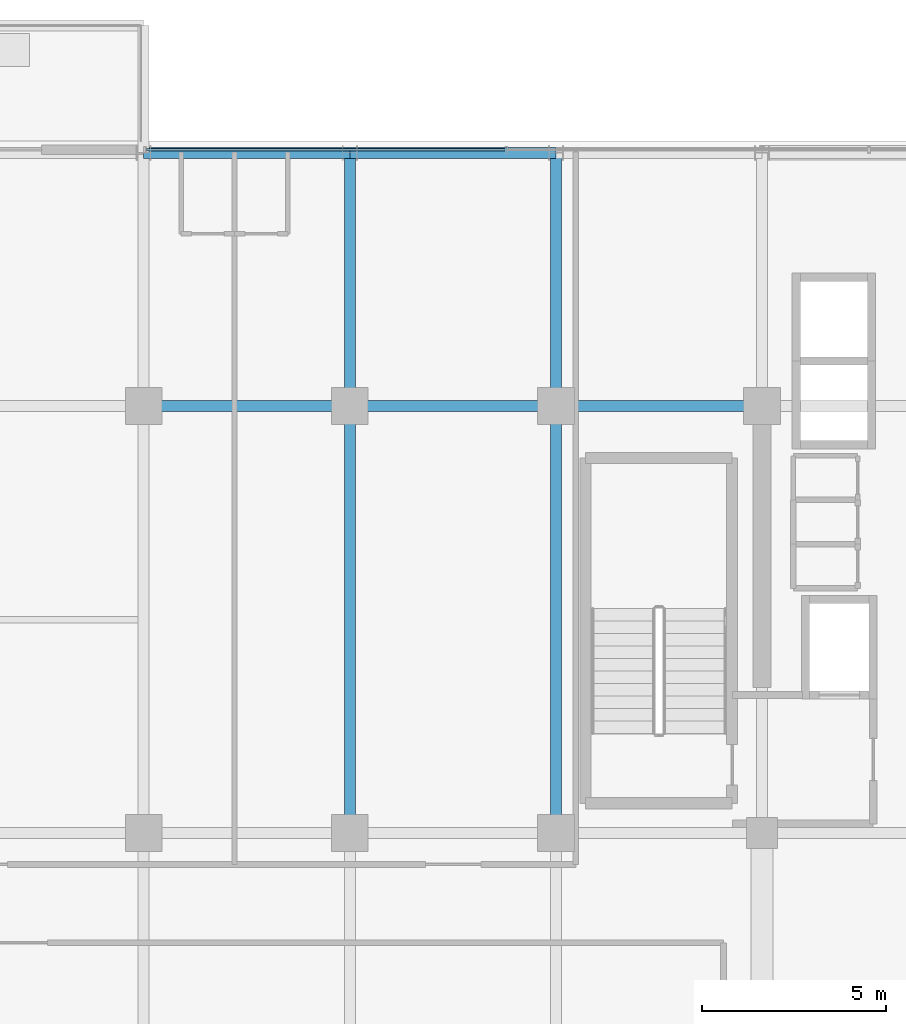
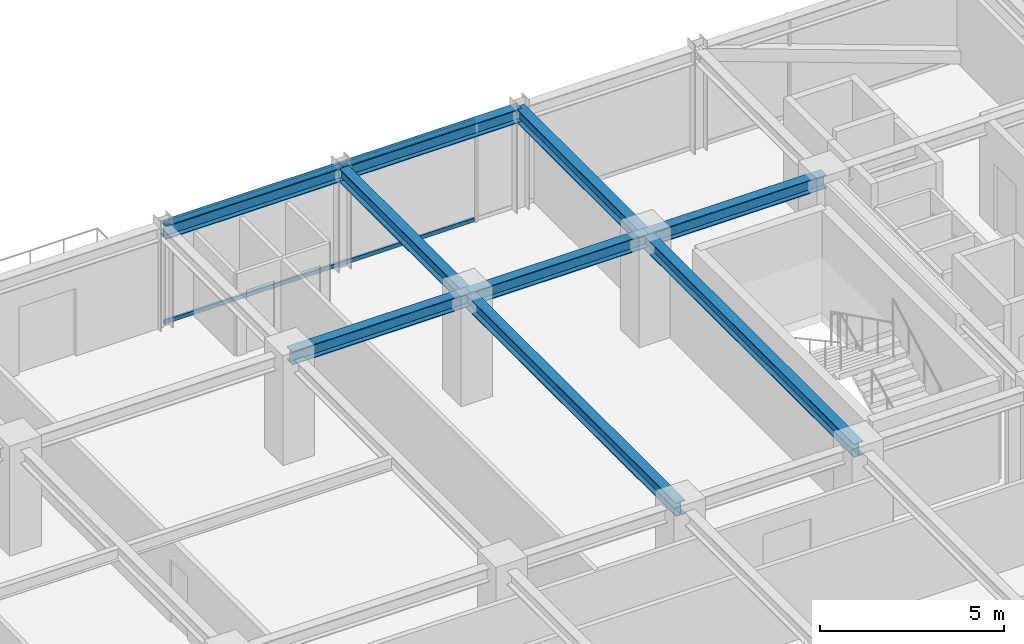
# One storey, part 22 of 36: 9 beams, 2 members, 1 element without a shape of its own.
"""IFC4 building model written with IfcOpenShell, lengths in metres."""

import ifcopenshell
import ifcopenshell.guid

model = None  # the IFC model being written
_history = None  # IfcOwnerHistory: only IFC2X3 demands one
_inside = {}  # id of a spatial element -> (the spatial element, [elements in it])
_under = {}  # id of a project, library or spatial element -> (it, [spatial elements below it])
_declared = {}  # id of a project -> (the project, [libraries it declares])
_typed = {}  # id of a type object -> (the type object, [elements of that type])
_made_of = {}  # id of a material, layer set ... -> (it, [elements and type objects made of it])


def new_model(schema):
    """Start an empty IFC model of exactly this schema.

    Asked for "IFC4X3", IfcOpenShell would pick the latest addendum, in which some entities
    have other attributes; the version numbers below select the first issue.
    IFC2X3 requires an IfcOwnerHistory on every rooted entity: one is made here for all.
    """
    global model, _history
    if schema == "IFC4X3":
        model = ifcopenshell.file(schema_version=(4, 3, 0, 0))
    else:
        model = ifcopenshell.file(schema=schema)
    _inside.clear()
    _under.clear()
    _declared.clear()
    _typed.clear()
    _made_of.clear()
    _history = None
    if model.schema == "IFC2X3":
        org = make("IfcOrganization", Name="unknown")
        user = make(
            "IfcPersonAndOrganization",
            ThePerson=make("IfcPerson", FamilyName="unknown"),
            TheOrganization=org,
        )
        app = make(
            "IfcApplication",
            ApplicationDeveloper=org,
            Version="unknown",
            ApplicationFullName="unknown",
            ApplicationIdentifier="unknown",
        )
        _history = make(
            "IfcOwnerHistory",
            OwningUser=user,
            OwningApplication=app,
            ChangeAction="ADDED",
            CreationDate=0,
        )
    return model


def make(cls, **values):
    """One entity of the class cls with the attributes given. An attribute that is None is left unset."""
    return model.create_entity(
        cls, **{name: value for name, value in values.items() if value is not None}
    )


def rooted(cls, **values):
    """An entity with a GlobalId (a new one), such as an element, a storey or a relation."""
    return make(cls, GlobalId=ifcopenshell.guid.new(), OwnerHistory=_history, **values)


def si_unit(unit_type, name, prefix=None):
    """IfcSIUnit, for example si_unit("LENGTHUNIT", "METRE", prefix="MILLI")."""
    return make("IfcSIUnit", UnitType=unit_type, Prefix=prefix, Name=name)


def assignment(units):
    """IfcUnitAssignment: the units of a project."""
    return None if units is None else make("IfcUnitAssignment", Units=units)


def point(xyz):
    """IfcCartesianPoint."""
    return None if xyz is None else make("IfcCartesianPoint", Coordinates=xyz)


def direction(xyz):
    """IfcDirection."""
    return None if xyz is None else make("IfcDirection", DirectionRatios=xyz)


def frame(location, z_axis=None, x_axis=None):
    """IfcAxis2Placement3D, a coordinate frame: its origin and axes. An axis left out is left unset."""
    return make(
        "IfcAxis2Placement3D",
        Location=point(location),
        Axis=direction(z_axis),
        RefDirection=direction(x_axis),
    )


def frame_2d(location, x_axis=None):
    """IfcAxis2Placement2D, a coordinate frame in the plane: its origin and x axis."""
    return make(
        "IfcAxis2Placement2D", Location=point(location), RefDirection=direction(x_axis)
    )


def origin():
    """The frame at (0, 0, 0) with its axes left unset."""
    return frame((0.0, 0.0, 0.0))


def origin_2d():
    """The frame at (0, 0) in the plane with its x axis left unset."""
    return frame_2d((0.0, 0.0))


def place(relative_to, where):
    """IfcLocalPlacement: puts the frame where relative to a parent placement (None: the world)."""
    return make(
        "IfcLocalPlacement", PlacementRelTo=relative_to, RelativePlacement=where
    )


def context(
    kind, dimensions, precision=None, world=None, true_north=None, identifier=None
):
    """IfcGeometricRepresentationContext, for example the 3D "Model" context."""
    return make(
        "IfcGeometricRepresentationContext",
        ContextIdentifier=identifier,
        ContextType=kind,
        CoordinateSpaceDimension=dimensions,
        Precision=precision,
        WorldCoordinateSystem=world,
        TrueNorth=true_north,
    )


def subcontext(parent, identifier, kind, view, scale=None):
    """IfcGeometricRepresentationSubContext, for example "Body" below "Model"."""
    return make(
        "IfcGeometricRepresentationSubContext",
        ContextIdentifier=identifier,
        ContextType=kind,
        ParentContext=parent,
        TargetScale=scale,
        TargetView=view,
    )


def project(units=None, contexts=None):
    """IfcProject with its units and contexts."""
    return rooted(
        "IfcProject",
        Name="project",
        RepresentationContexts=contexts,
        UnitsInContext=assignment(units),
    )


def spatial(cls, under=None, at=None, **own):
    """A site, building, storey or space (cls), placed at a placement, below another one or the project."""
    s = rooted(cls, ObjectPlacement=at, **own)
    if under is not None:
        _under.setdefault(under.id(), (under, []))[1].append(s)
    return s


def profile(cls, at=None, kind="AREA", **sizes):
    """A parametric profile (cls). Its sizes go by their IFC names, for example OverallWidth=200.0."""
    return make(cls, ProfileType=kind, Position=at, **sizes)


def hollow_rectangle(**sizes):
    """IfcRectangleHollowProfileDef."""
    return profile("IfcRectangleHollowProfileDef", **sizes)


def i_section(**sizes):
    """IfcIShapeProfileDef."""
    return profile("IfcIShapeProfileDef", **sizes)


def extrude(swept, where, along, depth):
    """IfcExtrudedAreaSolid: the profile swept, set in the frame where, extruded along a direction by depth."""
    return make(
        "IfcExtrudedAreaSolid",
        SweptArea=swept,
        Position=where,
        ExtrudedDirection=direction(along),
        Depth=depth,
    )


def shape(context_of_items, identifier, shape_type, items):
    """IfcShapeRepresentation: the items that make up one representation, for example the "Body"."""
    return make(
        "IfcShapeRepresentation",
        ContextOfItems=context_of_items,
        RepresentationIdentifier=identifier,
        RepresentationType=shape_type,
        Items=items,
    )


def source(mapping_origin, context_of_items, identifier, shape_type, items):
    """IfcRepresentationMap: a shape defined once, which mapped items show again and again."""
    return make(
        "IfcRepresentationMap",
        MappingOrigin=mapping_origin,
        MappedRepresentation=shape(context_of_items, identifier, shape_type, items),
    )


def transform(
    local_origin,
    x_axis=None,
    y_axis=None,
    z_axis=None,
    scale=None,
    scale2=None,
    scale3=None,
    uniform=True,
):
    """IfcCartesianTransformationOperator3D, or its non-uniform kind. x_axis, y_axis, z_axis: its Axis1, 2, 3."""
    if uniform:
        return make(
            "IfcCartesianTransformationOperator3D",
            Axis1=direction(x_axis),
            Axis2=direction(y_axis),
            LocalOrigin=point(local_origin),
            Scale=scale,
            Axis3=direction(z_axis),
        )
    return make(
        "IfcCartesianTransformationOperator3DnonUniform",
        Axis1=direction(x_axis),
        Axis2=direction(y_axis),
        LocalOrigin=point(local_origin),
        Scale=scale,
        Axis3=direction(z_axis),
        Scale2=scale2,
        Scale3=scale3,
    )


def mapped(mapping_source, mapping_target):
    """IfcMappedItem: shows the shape of a source again, moved by a transform."""
    return make(
        "IfcMappedItem", MappingSource=mapping_source, MappingTarget=mapping_target
    )


def material(Name=None, Category=None):
    """IfcMaterial."""
    return make("IfcMaterial", Name=Name, Category=Category)


def material_profile(
    of_material, cross_section, Name=None, Category=None, Priority=None
):
    """IfcMaterialProfile: a cross section and its material."""
    return make(
        "IfcMaterialProfile",
        Name=Name,
        Material=of_material,
        Profile=cross_section,
        Priority=Priority,
        Category=Category,
    )


def profile_set(profiles, Name=None, composite=None):
    """IfcMaterialProfileSet."""
    return make(
        "IfcMaterialProfileSet",
        Name=Name,
        MaterialProfiles=profiles,
        CompositeProfile=composite,
    )


def made_of(thing, what):
    """Note that an element or type object is made of a material, layer set ...; save() writes the relation."""
    if what is not None:
        _made_of.setdefault(what.id(), (what, []))[1].append(thing)
    return thing


def type_object(cls, material=None, **own):
    """A type object (cls), such as IfcWallType, which elements share."""
    return made_of(rooted(cls, **own), material)


def element(
    cls,
    number,
    at=None,
    inside=None,
    cuts=None,
    type_object=None,
    material=None,
    context=None,
    identifier="Body",
    shape_type=None,
    held_by="IfcProductDefinitionShape",
    body=None,
    shapes=None,
    **own,
):
    """One element of the class cls, such as IfcWall. Its Tag is "e" and its number.

    at: its placement. inside: the storey or other place that contains it. cuts: it is an
    opening in that element (IfcRelVoidsElement). A single representation is given by context,
    identifier, shape_type and body (its items); several are given by shapes. held_by: the class
    of the entity that holds the representations. save() writes the other relations.
    """
    e = rooted(cls, Tag="e%d" % number, ObjectPlacement=at, **own)
    if body is not None:
        shapes = [shape(context, identifier, shape_type, body)]
    if shapes is not None:
        e.Representation = make(held_by, Representations=shapes)
    if inside is not None:
        _inside.setdefault(inside.id(), (inside, []))[1].append(e)
    if cuts is not None:
        rooted(
            "IfcRelVoidsElement", RelatingBuildingElement=cuts, RelatedOpeningElement=e
        )
    if type_object is not None:
        _typed.setdefault(type_object.id(), (type_object, []))[1].append(e)
    return made_of(e, material)


def aggregate(whole, parts):
    """IfcRelAggregates: a whole, such as a stair, and the parts it consists of."""
    return rooted("IfcRelAggregates", RelatingObject=whole, RelatedObjects=parts)


def save(model, path):
    """Write the relations noted so far, then the file.

    IfcRelAggregates (storeys below a building ...), IfcRelContainedInSpatialStructure (elements
    in a storey), IfcRelDefinesByType, IfcRelAssociatesMaterial and IfcRelDeclares: one each for
    every whole, place, type object, material and project.
    """
    for whole, parts in _under.values():
        aggregate(whole, parts)
    for where, things in _inside.values():
        rooted(
            "IfcRelContainedInSpatialStructure",
            RelatedElements=things,
            RelatingStructure=where,
        )
    for kind, things in _typed.values():
        rooted("IfcRelDefinesByType", RelatedObjects=things, RelatingType=kind)
    for what, things in _made_of.values():
        rooted("IfcRelAssociatesMaterial", RelatedObjects=things, RelatingMaterial=what)
    for by, libraries in _declared.values():
        rooted("IfcRelDeclares", RelatingContext=by, RelatedDefinitions=libraries)
    model.write(path)


model = new_model("IFC4")

# Units and contexts
model_context = context("Model", 3, precision=1e-05, world=origin(), true_north=direction((0.0, 1.0)))
body_context = subcontext(model_context, "Body", "Model", "MODEL_VIEW")
ifc_project = project(units=[si_unit("LENGTHUNIT", "METRE"), si_unit("AREAUNIT", "SQUARE_METRE"), si_unit("VOLUMEUNIT", "CUBIC_METRE"), si_unit("PLANEANGLEUNIT", "RADIAN"), si_unit("MASSUNIT", "GRAM", prefix="KILO")], contexts=[model_context])

# Site, building, storey
site_placement = place(None, origin())
site = spatial("IfcSite", under=ifc_project, at=site_placement, CompositionType="ELEMENT")
building_placement = place(site_placement, origin())
building = spatial("IfcBuilding", under=site, at=building_placement, Name="Nahalor Promenade Grand Hotel", CompositionType="ELEMENT")
storey_placement = place(building_placement, frame((0.0, 0.0, 234.5)))
storey = spatial("IfcBuildingStorey", under=building, at=storey_placement, Name="L60", CompositionType="ELEMENT", Elevation=234.5)

# Beams
ifc_material_1 = material(Name="Steel S355JR", Category="steel")
ifc_material_profile_1 = material_profile(ifc_material_1, i_section(OverallWidth=0.3, OverallDepth=0.45, WebThickness=0.014, FlangeThickness=0.026, at=origin_2d()), Name="HEB 450")
ifc_profile_set_1 = profile_set([ifc_material_profile_1], Name="Steel S355JR")
beam_type_1 = type_object("IfcBeamType", Name="Beam-Spandrel-HEB450", PredefinedType="SPANDREL", material=ifc_profile_set_1)
shared_shape_1 = source(origin(), body_context, "Body", "SweptSolid", [
    extrude(i_section(OverallWidth=0.3, OverallDepth=0.45, WebThickness=0.014, FlangeThickness=0.026, at=origin_2d()), origin(), (0.0, 0.0, 1.0), 5.599853515625),
])
beam_1_placement = place(storey_placement, frame((-8.39990234375, 23.8798828125, 3.18505859375), z_axis=(1.0, 0.0, 0.0), x_axis=(0.0, 1.0, 0.0)))
element("IfcBeam", 1, at=beam_1_placement, inside=storey, type_object=beam_type_1, Name="BM-L60-SP-N-1", PredefinedType="SPANDREL", context=body_context, shape_type="MappedRepresentation", body=[
    mapped(shared_shape_1, transform((0.0, 0.0, 0.0), scale=1.0)),
])
shared_shape_2 = source(origin(), body_context, "Body", "SweptSolid", [
    extrude(i_section(OverallWidth=0.3, OverallDepth=0.45, WebThickness=0.014, FlangeThickness=0.026, at=origin_2d()), origin(), (0.0, 0.0, 1.0), 5.60009765625),
])
beam_2_placement = place(storey_placement, frame((-2.800048828125, 23.8798828125, 3.18505859375), z_axis=(1.0, 0.0, 0.0), x_axis=(0.0, 1.0, 0.0)))
element("IfcBeam", 2, at=beam_2_placement, inside=storey, type_object=beam_type_1, Name="BM-L60-SP-N-2", PredefinedType="SPANDREL", context=body_context, shape_type="MappedRepresentation", body=[
    mapped(shared_shape_2, transform((0.0, 0.0, 0.0), scale=1.0)),
])
ifc_material_profile_2 = material_profile(ifc_material_1, i_section(OverallWidth=0.3, OverallDepth=0.45, WebThickness=0.014, FlangeThickness=0.026, at=origin_2d()), Name="HEB 450")
ifc_profile_set_2 = profile_set([ifc_material_profile_2], Name="Steel S355JR")
beam_type_2 = type_object("IfcBeamType", Name="Beam-Girder-HEB450", PredefinedType="BEAM", material=ifc_profile_set_2)
shared_shape_3 = source(origin(), body_context, "Body", "SweptSolid", [
    extrude(i_section(OverallWidth=0.3, OverallDepth=0.45, WebThickness=0.014, FlangeThickness=0.026, at=origin_2d()), origin(), (0.0, 0.0, 1.0), 6.8798828125),
])
for number, where, z_axis, x_axis, name in (
    (3, (-2.800048828125, 17.0, 3.18505859375), (0.0, 1.0, 0.0), (-1.0, 0.0, 0.0), "BM-L60-GY-2-4"),
    (4, (2.800048828125, 17.0, 3.18505859375), (0.0, 1.0, 0.0), (-1.0, 0.0, 0.0), "BM-L60-GY-3-4"),
):
    element("IfcBeam", number, at=place(storey_placement, frame(where, z_axis=z_axis, x_axis=x_axis)), inside=storey, type_object=beam_type_2, Name=name, PredefinedType="BEAM", context=body_context, shape_type="MappedRepresentation", body=[
        mapped(shared_shape_3, transform((0.0, 0.0, 0.0), scale=1.0)),
    ])
shared_shape_4 = source(origin(), body_context, "Body", "SweptSolid", [
    extrude(i_section(OverallWidth=0.3, OverallDepth=0.45, WebThickness=0.014, FlangeThickness=0.026, at=origin_2d()), origin(), (0.0, 0.0, 1.0), 5.599853515625),
])
for number, where, z_axis, x_axis, name in (
    (5, (-8.39990234375, 17.0, 3.18505859375), (1.0, 0.0, 0.0), (0.0, 1.0, 0.0), "BM-L60-GX-3-2"),
    (6, (2.800048828125, 17.0, 3.18505859375), (1.0, 0.0, 0.0), (0.0, 1.0, 0.0), "BM-L60-GX-3-4"),
):
    element("IfcBeam", number, at=place(storey_placement, frame(where, z_axis=z_axis, x_axis=x_axis)), inside=storey, type_object=beam_type_2, Name=name, PredefinedType="BEAM", context=body_context, shape_type="MappedRepresentation", body=[
        mapped(shared_shape_4, transform((0.0, 0.0, 0.0), scale=1.0)),
    ])
shared_shape_5 = source(origin(), body_context, "Body", "SweptSolid", [
    extrude(i_section(OverallWidth=0.3, OverallDepth=0.45, WebThickness=0.014, FlangeThickness=0.026, at=origin_2d()), origin(), (0.0, 0.0, 1.0), 5.60009765625),
])
beam_3_placement = place(storey_placement, frame((-2.800048828125, 17.0, 3.18505859375), z_axis=(1.0, 0.0, 0.0), x_axis=(0.0, 1.0, 0.0)))
element("IfcBeam", 7, at=beam_3_placement, inside=storey, type_object=beam_type_2, Name="BM-L60-GX-3-3", PredefinedType="BEAM", context=body_context, shape_type="MappedRepresentation", body=[
    mapped(shared_shape_5, transform((0.0, 0.0, 0.0), scale=1.0)),
])
shared_shape_6 = source(origin(), body_context, "Body", "SweptSolid", [
    extrude(i_section(OverallWidth=0.3, OverallDepth=0.45, WebThickness=0.014, FlangeThickness=0.026, at=origin_2d()), origin(), (0.0, 0.0, 1.0), 11.60009765625),
])
for number, where, z_axis, x_axis, name in (
    (8, (-2.800048828125, 5.39990234375, 3.18505859375), (0.0, 1.0, 0.0), (-1.0, 0.0, 0.0), "BM-L60-GY-2-3"),
    (9, (2.800048828125, 5.39990234375, 3.18505859375), (0.0, 1.0, 0.0), (-1.0, 0.0, 0.0), "BM-L60-GY-3-3"),
):
    element("IfcBeam", number, at=place(storey_placement, frame(where, z_axis=z_axis, x_axis=x_axis)), inside=storey, type_object=beam_type_2, Name=name, PredefinedType="BEAM", context=body_context, shape_type="MappedRepresentation", body=[
        mapped(shared_shape_6, transform((0.0, 0.0, 0.0), scale=1.0)),
    ])

# Curtain wall, members
ifc_material_2 = material(Name="Anodised Bronze Aluminium EN AW-6063 T6", Category="aluminium")
curtain_wall_type = type_object("IfcCurtainWallType", Name="CW2 Typical Hotel Flush Bronze Unitised Curtain Wall", PredefinedType="USERDEFINED", material=ifc_material_2)
curtain_wall_placement = place(storey_placement, origin())
curtain_wall = element("IfcCurtainWall", 10, at=curtain_wall_placement, inside=storey, type_object=curtain_wall_type, Name="L60 Curtain Wall CW-L60-N-3", ObjectType="UNITISED_CURTAIN_WALL", PredefinedType="USERDEFINED")
ifc_material_profile_3 = material_profile(ifc_material_2, hollow_rectangle(XDim=0.065, YDim=0.13, WallThickness=0.004, at=origin_2d()), Name="CWT 65x130x4")
ifc_profile_set_3 = profile_set([ifc_material_profile_3], Name="Anodised Bronze Aluminium EN AW-6063 T6")
member_type = type_object("IfcMemberType", Name="CWT2 Typical Bronze Transom 65x130", PredefinedType="USERDEFINED", material=ifc_profile_set_3)
shared_shape_7 = source(origin(), body_context, "Body", "SweptSolid", [
    extrude(hollow_rectangle(XDim=0.065, YDim=0.13, WallThickness=0.004, at=origin_2d()), origin(), (0.0, 0.0, 1.0), 9.755859375),
])
member_1_placement = place(storey_placement, frame((-8.3349609375, 23.9599609375, 0.06494140625), z_axis=(1.0, 0.0, 0.0), x_axis=(0.0, 1.0, 0.0)))
member_1 = element("IfcMember", 11, at=member_1_placement, type_object=member_type, Name="CW-L60-N-3 Transom 0-0", ObjectType="TRANSOM", PredefinedType="USERDEFINED", context=body_context, shape_type="MappedRepresentation", body=[
    mapped(shared_shape_7, transform((0.0, 0.0, 0.0), scale=1.0)),
])
member_2_placement = place(storey_placement, frame((-8.3349609375, 23.9599609375, 3.344970703125), z_axis=(1.0, 0.0, 0.0), x_axis=(0.0, 1.0, 0.0)))
member_2 = element("IfcMember", 12, at=member_2_placement, type_object=member_type, Name="CW-L60-N-3 Transom 0-1", ObjectType="TRANSOM", PredefinedType="USERDEFINED", context=body_context, shape_type="MappedRepresentation", body=[
    mapped(shared_shape_7, transform((0.0, 0.0, 0.0), scale=1.0)),
])
aggregate(curtain_wall, [member_1, member_2])

save(model, "model.ifc")
